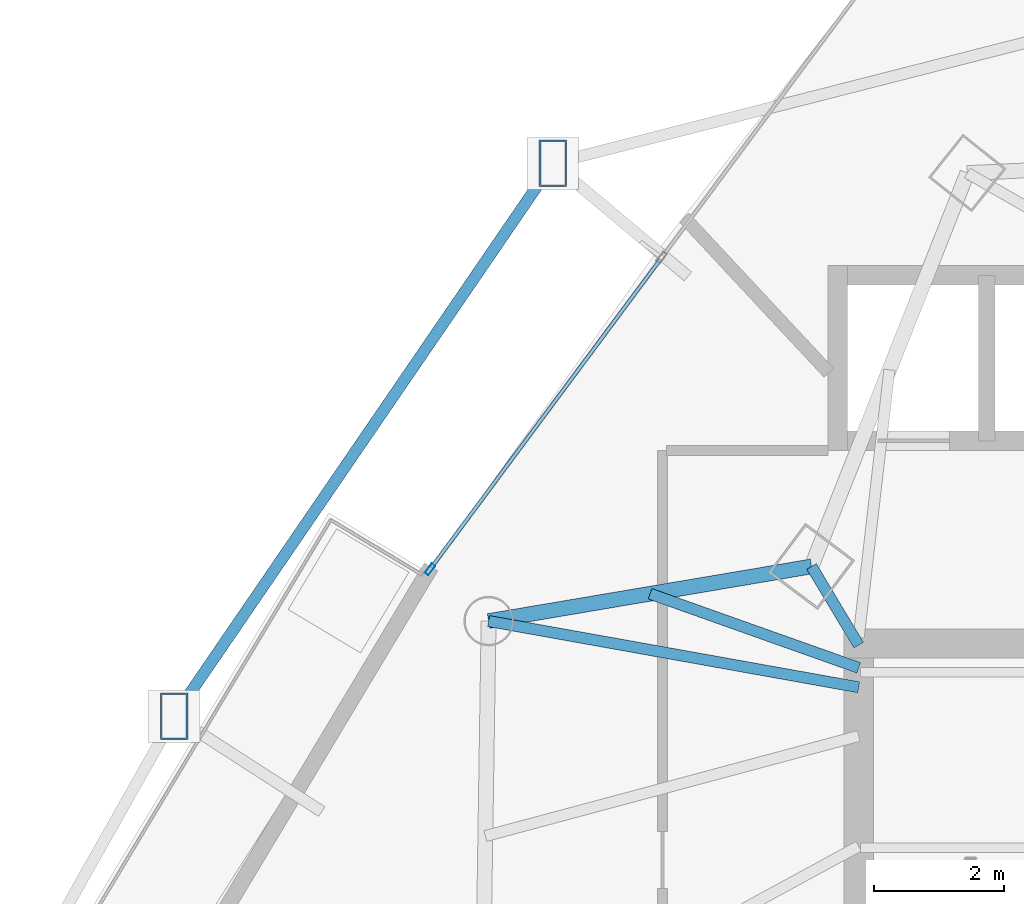
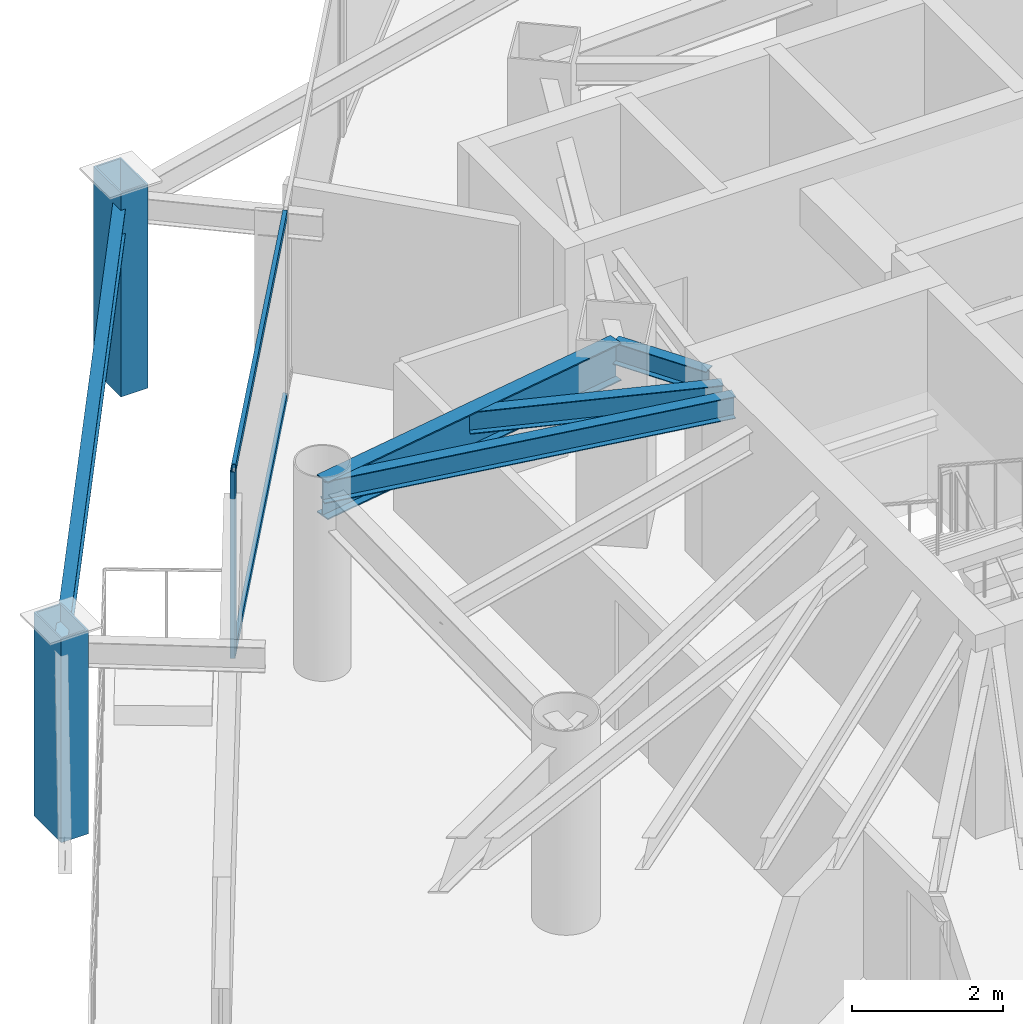
# One storey, part 18 of 33: 5 beams, 5 members, 1 element without a shape of its own.
"""IFC4 building model written with IfcOpenShell, lengths in metres."""

from ifc_helpers import new_model, si_unit, direction, frame, origin, origin_2d, place, context, subcontext, project, spatial, hollow_rectangle, i_section, extrude, material, layer, layer_set, material_profile, profile_set, type_object, element, aggregate, save


model = new_model("IFC4")

# Units and contexts
model_context = context("Model", 3, precision=1e-05, world=origin(), true_north=direction((0.0, 1.0)))
body_context = subcontext(model_context, "Body", "Model", "MODEL_VIEW")
ifc_project = project(units=[si_unit("LENGTHUNIT", "METRE"), si_unit("AREAUNIT", "SQUARE_METRE"), si_unit("VOLUMEUNIT", "CUBIC_METRE"), si_unit("PLANEANGLEUNIT", "RADIAN"), si_unit("MASSUNIT", "GRAM", prefix="KILO")], contexts=[model_context])

# Site, building, storey
site_placement = place(None, origin())
site = spatial("IfcSite", under=ifc_project, at=site_placement, CompositionType="ELEMENT")
building_placement = place(site_placement, origin())
building = spatial("IfcBuilding", under=site, at=building_placement, Name="Orvanel Arch Residences", CompositionType="ELEMENT")
storey_placement = place(building_placement, frame((0.0, 0.0, 93.949951171875)))
storey = spatial("IfcBuildingStorey", under=building, at=storey_placement, Name="L26", CompositionType="ELEMENT", Elevation=93.949951171875)

# Beams
ifc_material_1 = material(Name="Structural steel AS/NZS 3679.1 Grade 300 (300 MPa)", Category="steel")
ifc_material_profile_1 = material_profile(ifc_material_1, i_section(OverallWidth=0.1708984375, OverallDepth=0.35595703125, WebThickness=0.00732421875, FlangeThickness=0.011474609375, at=origin_2d()), Name="360UB50.7")
ifc_profile_set_1 = profile_set([ifc_material_profile_1], Name="Structural steel AS/NZS 3679.1 Grade 300 (300 MPa)")
beam_type_1 = type_object("IfcBeamType", Name="BJ-360UB", PredefinedType="JOIST", material=ifc_profile_set_1)
beam_1_placement = place(storey_placement, frame((26.375, 33.89990234375, 2.842041015625), z_axis=(-0.514064138778, 0.857751748015, 0.0), x_axis=(-0.857751748015, -0.514064138778, 0.0)))
element("IfcBeam", 1, at=beam_1_placement, inside=storey, type_object=beam_type_1, Name="L26 NNW Wing Floor Joist", PredefinedType="JOIST", context=body_context, shape_type="SweptSolid", body=[
    extrude(i_section(OverallWidth=0.1708984375, OverallDepth=0.35595703125, WebThickness=0.00732421875, FlangeThickness=0.011474609375, at=origin_2d()), origin(), (0.0, 0.0, 1.0), 1.414306640625),
])
beam_2_placement = place(storey_placement, frame((26.375, 33.25, 2.842041015625), z_axis=(-0.984360855662, 0.176163860766, 0.0), x_axis=(-0.176163860766, -0.984360855662, 0.0)))
element("IfcBeam", 2, at=beam_2_placement, inside=storey, type_object=beam_type_1, Name="L26 LW Wing Floor Joist", PredefinedType="JOIST", context=body_context, shape_type="SweptSolid", body=[
    extrude(i_section(OverallWidth=0.1708984375, OverallDepth=0.35595703125, WebThickness=0.00732421875, FlangeThickness=0.011474609375, at=origin_2d()), origin(), (0.0, 0.0, 1.0), 5.795654296875),
])
beam_3_placement = place(storey_placement, frame((26.375, 33.550048828125, 2.842041015625), z_axis=(-0.942366638377, 0.334582006201, 0.0), x_axis=(-0.334582006201, -0.942366638377, 0.0)))
element("IfcBeam", 3, at=beam_3_placement, inside=storey, type_object=beam_type_1, Name="L26 JADD3 Wing Floor Joist", PredefinedType="JOIST", context=body_context, shape_type="SweptSolid", body=[
    extrude(i_section(OverallWidth=0.1708984375, OverallDepth=0.35595703125, WebThickness=0.00732421875, FlangeThickness=0.011474609375, at=origin_2d()), origin(), (0.0, 0.0, 1.0), 3.412841796875),
])

# Members
ifc_material_2 = material(Name="Structural steel AS/NZS 3678 Grade 350", Category="steel")
ifc_material_profile_2 = material_profile(ifc_material_2, hollow_rectangle(XDim=0.419921875, YDim=0.719970703125, WallThickness=0.02490234375, at=origin_2d()), Name="RHS720x420x25")
ifc_profile_set_2 = profile_set([ifc_material_profile_2], Name="Structural steel AS/NZS 3678 Grade 350")
member_type_1 = type_object("IfcMemberType", Name="CH-720RHS-EXT", PredefinedType="CHORD", material=ifc_profile_set_2)
for number, where, z_axis, x_axis, name in (
    (4, (21.658935546875, 41.327880859375, 0.0), (0.0, 0.0, 1.0), (1.0, 0.0, 0.0), "L26 Outer Perimeter Frame Post 01"),
    (5, (15.822998046875, 32.802001953125, 0.0), (0.0, 0.0, 1.0), (1.0, 0.0, 0.0), "L26 Outer Perimeter Frame Post 02"),
):
    element("IfcMember", number, at=place(storey_placement, frame(where, z_axis=z_axis, x_axis=x_axis)), inside=storey, type_object=member_type_1, Name=name, PredefinedType="CHORD", context=body_context, shape_type="SweptSolid", body=[
        extrude(hollow_rectangle(XDim=0.419921875, YDim=0.719970703125, WallThickness=0.02490234375, at=origin_2d()), origin(), (0.0, 0.0, 1.0), 3.300048828125),
    ])

# Curtain wall, member
ifc_material_3 = material(Name="Bronze-anodised aluminium AA6063-T6", Category="aluminium")
ifc_layer = layer(ifc_material_3, 0.179931640625)
ifc_layer_set = layer_set([ifc_layer], Name="Bronze-anodised aluminium AA6063-T6")
curtain_wall_type = type_object("IfcCurtainWallType", Name="CW2-LOW-SYS", PredefinedType="NOTDEFINED", material=ifc_layer_set)
curtain_wall_placement = place(storey_placement, origin())
curtain_wall = element("IfcCurtainWall", 6, at=curtain_wall_placement, inside=storey, type_object=curtain_wall_type, Name="L26 CW2-LOW-SYS Unitised Curtain Wall", PredefinedType="NOTDEFINED")
ifc_material_profile_3 = material_profile(ifc_material_3, hollow_rectangle(XDim=0.070068359375, YDim=0.179931640625, WallThickness=0.00439453125, at=origin_2d()), Name="ALU180x70x4.5")
ifc_profile_set_3 = profile_set([ifc_material_profile_3], Name="Bronze-anodised aluminium AA6063-T6")
member_type_2 = type_object("IfcMemberType", Name="MUL-180x70", PredefinedType="MULLION", material=ifc_profile_set_3)
member_1_placement = place(storey_placement, frame((19.765869140625, 35.068115234375, 0.0), z_axis=(0.0, 0.0, 1.0), x_axis=(0.802592798057, -0.596527283959, 0.0)))
member_1 = element("IfcMember", 7, at=member_1_placement, type_object=member_type_2, Name="CW-S2 mullion 3", PredefinedType="MULLION", context=body_context, shape_type="SweptSolid", body=[
    extrude(hollow_rectangle(XDim=0.070068359375, YDim=0.179931640625, WallThickness=0.00439453125, at=origin_2d()), origin(), (0.0, 0.0, 1.0), 3.02001953125),
])

# Beams
ifc_material_profile_4 = material_profile(ifc_material_1, i_section(OverallWidth=0.177978515625, OverallDepth=0.406005859375, WebThickness=0.0078125, FlangeThickness=0.0126953125, at=origin_2d()), Name="410UB59.7")
ifc_profile_set_4 = profile_set([ifc_material_profile_4], Name="Structural steel AS/NZS 3679.1 Grade 300 (300 MPa)")
beam_type_2 = type_object("IfcBeamType", Name="OB-410UB-EXT", PredefinedType="SPANDREL", material=ifc_profile_set_4)
beam_4_placement = place(storey_placement, frame((21.658935546875, 41.327880859375, 2.817138671875), z_axis=(-0.564844854464, -0.825197122138, 0.0), x_axis=(0.825197122138, -0.564844854464, 0.0)))
element("IfcBeam", 8, at=beam_4_placement, inside=storey, type_object=beam_type_2, Name="L26 Outer Perimeter Floor Ring Beam 01", PredefinedType="SPANDREL", context=body_context, shape_type="SweptSolid", body=[
    extrude(i_section(OverallWidth=0.177978515625, OverallDepth=0.406005859375, WebThickness=0.0078125, FlangeThickness=0.0126953125, at=origin_2d()), origin(), (0.0, 0.0, 1.0), 10.33203125),
])
ifc_material_profile_5 = material_profile(ifc_material_1, i_section(OverallWidth=0.22900390625, OverallDepth=0.612060546875, WebThickness=0.011962890625, FlangeThickness=0.01953125, at=origin_2d()), Name="610UB125")
ifc_profile_set_5 = profile_set([ifc_material_profile_5], Name="Structural steel AS/NZS 3679.1 Grade 300 (300 MPa)")
beam_type_3 = type_object("IfcBeamType", Name="SP-610UB", PredefinedType="SPANDREL", material=ifc_profile_set_5)
beam_5_placement = place(storey_placement, frame((25.64794921875, 35.113037109375, 2.714111328125), z_axis=(-0.985993733897, -0.166782363326, 0.0), x_axis=(0.166782363326, -0.985993733897, 0.0)))
element("IfcBeam", 9, at=beam_5_placement, inside=storey, type_object=beam_type_3, Name="L26 Perimeter Spandrel Beam 19", PredefinedType="SPANDREL", context=body_context, shape_type="SweptSolid", body=[
    extrude(i_section(OverallWidth=0.22900390625, OverallDepth=0.612060546875, WebThickness=0.011962890625, FlangeThickness=0.01953125, at=origin_2d()), origin(), (0.0, 0.0, 1.0), 5.048828125),
])

# Member
ifc_material_profile_6 = material_profile(ifc_material_3, hollow_rectangle(XDim=0.06005859375, YDim=0.135009765625, WallThickness=0.00390625, at=origin_2d()), Name="ALU135x60x4")
ifc_profile_set_6 = profile_set([ifc_material_profile_6], Name="Bronze-anodised aluminium AA6063-T6")
member_type_3 = type_object("IfcMemberType", Name="TRN-135x60", PredefinedType="USERDEFINED", material=ifc_profile_set_6)
member_2_placement = place(storey_placement, frame((23.316650390625, 39.845458984375, 0.030029296875), z_axis=(-0.596515409938, -0.802601623289, 0.0), x_axis=(0.802601623289, -0.596515409938, 0.0)))
member_2 = element("IfcMember", 10, at=member_2_placement, type_object=member_type_3, Name="CW-S2 transom 2.1", ObjectType="TRANSOM", PredefinedType="USERDEFINED", context=body_context, shape_type="SweptSolid", body=[
    extrude(hollow_rectangle(XDim=0.06005859375, YDim=0.135009765625, WallThickness=0.00390625, at=origin_2d()), origin(), (0.0, 0.0, 1.0), 5.917236328125),
])

member_3_placement = place(storey_placement, frame((23.316650390625, 39.845458984375, 2.989990234375), z_axis=(-0.596515409938, -0.802601623289, 0.0), x_axis=(0.802601623289, -0.596515409938, 0.0)))
member_3 = element("IfcMember", 11, at=member_3_placement, type_object=member_type_3, Name="CW-S2 transom 2.2", ObjectType="TRANSOM", PredefinedType="USERDEFINED", context=body_context, shape_type="SweptSolid", body=[
    extrude(hollow_rectangle(XDim=0.06005859375, YDim=0.135009765625, WallThickness=0.00390625, at=origin_2d()), origin(), (0.0, 0.0, 1.0), 5.917236328125),
])

aggregate(curtain_wall, [member_1, member_2, member_3])

save(model, "model.ifc")
